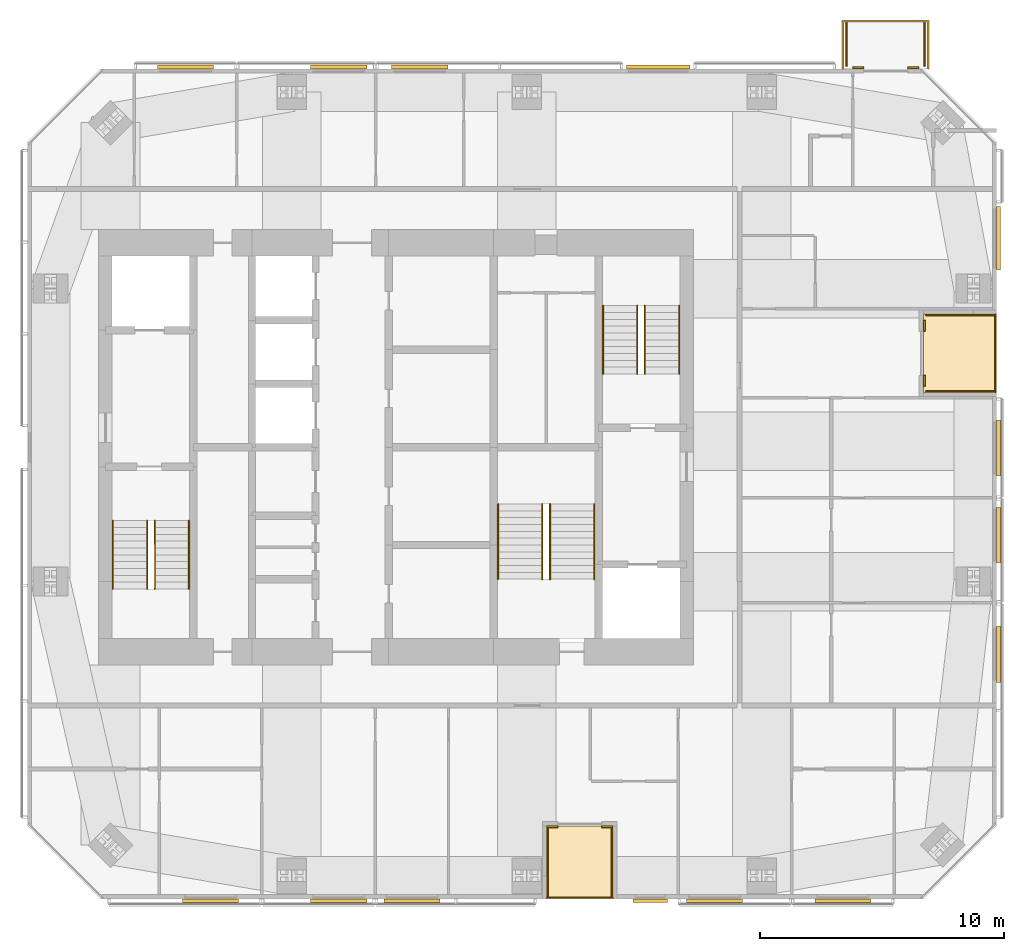
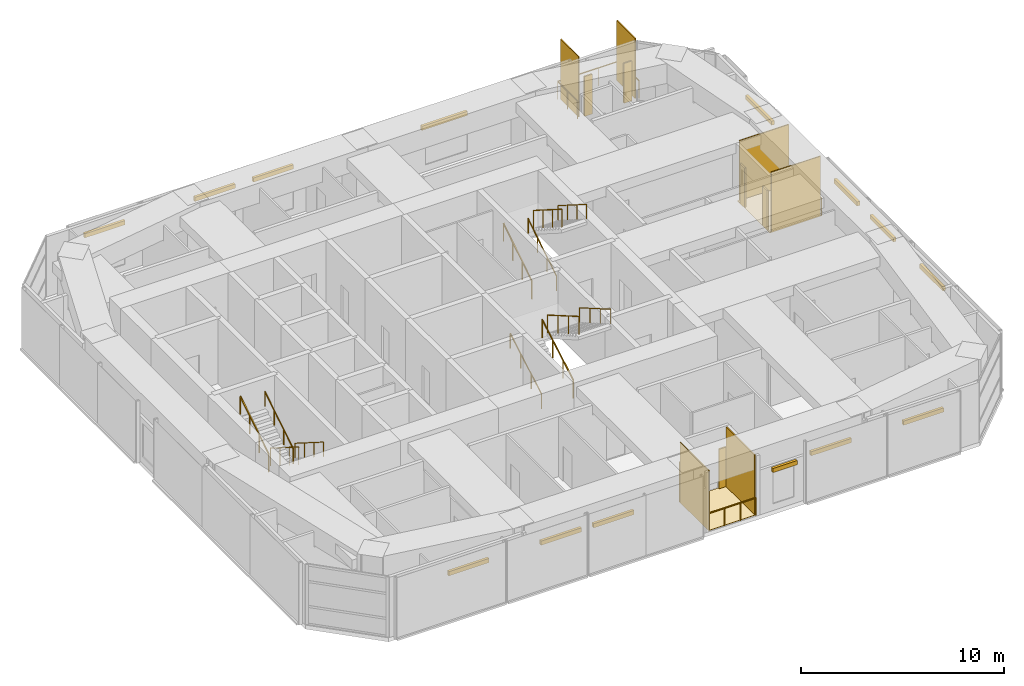
# One storey, part 20 of 20: 26 shading devices, 15 railings, 2 coverings.
"""IFC4 building model written with IfcOpenShell, lengths in metres."""

from ifc_helpers import new_model, si_unit, direction, frame, origin, origin_2d, place, context, subcontext, project, spatial, polyline, rectangle, circle, outline, extrude, material, layer, layer_set, constituent, constituent_set, type_object, element, save


model = new_model("IFC4")

# Units and contexts
model_context = context("Model", 3, precision=1e-05, world=origin(), true_north=direction((0.0, 1.0)))
body_context = subcontext(model_context, "Body", "Model", "MODEL_VIEW")
ifc_project = project(units=[si_unit("LENGTHUNIT", "METRE"), si_unit("AREAUNIT", "SQUARE_METRE"), si_unit("VOLUMEUNIT", "CUBIC_METRE"), si_unit("PLANEANGLEUNIT", "RADIAN"), si_unit("MASSUNIT", "GRAM", prefix="KILO")], contexts=[model_context])

# Site, building, storey
site_placement = place(None, origin())
site = spatial("IfcSite", under=ifc_project, at=site_placement, CompositionType="ELEMENT")
building_placement = place(site_placement, origin())
building = spatial("IfcBuilding", under=site, at=building_placement, Name="Jalousie Tower", CompositionType="ELEMENT")
storey_placement = place(building_placement, frame((0.0, 0.0, 263.85009765625)))
storey = spatial("IfcBuildingStorey", under=building, at=storey_placement, Name="L72", CompositionType="ELEMENT", Elevation=263.85009765625)

# Shading devices
ifc_material_1 = material(Name="Aluminium impact-rated louvred storm shutter", Category="aluminium")
shading_device_type_1 = type_object("IfcShadingDeviceType", Name="BI-FOLD STORM SHUTTER 900x2400", PredefinedType="SHUTTER", material=ifc_material_1)
for number, where, z_axis, x_axis, name in (
    (1, (38.300048828125, 2.9599609375, 0.0), (0.0, 0.0, 1.0), (1.0, 0.0, 0.0), "Loggia storm shutter L72"),
    (2, (40.550048828125, 2.9599609375, 0.0), (0.0, 0.0, 1.0), (1.0, 0.0, 0.0), "Loggia storm shutter L72"),
    (3, (53.5400390625, 21.22509765625, 0.0), (0.0, 0.0, 1.0), (0.0, 1.0, 0.0), "Loggia storm shutter L72"),
    (4, (53.5400390625, 23.47509765625, 0.0), (0.0, 0.0, 1.0), (0.0, 1.0, 0.0), "Loggia storm shutter L72"),
    (5, (53.07373046875, 34.0400390625, 0.0), (0.0, 0.0, 1.0), (-1.0, 0.0, 0.0), "Balcony storm shutter L72"),
    (6, (50.82373046875, 34.0400390625, 0.0), (0.0, 0.0, 1.0), (-1.0, 0.0, 0.0), "Balcony storm shutter L72"),
):
    element("IfcShadingDevice", number, at=place(storey_placement, frame(where, z_axis=z_axis, x_axis=x_axis)), inside=storey, type_object=shading_device_type_1, Name=name, PredefinedType="SHUTTER", context=body_context, shape_type="SweptSolid", body=[
        extrude(rectangle(XDim=0.449951171875, YDim=0.080078125, at=origin_2d()), origin(), (0.0, 0.0, 1.0), 2.39990234375),
    ])

# Railings
ifc_material_2 = material(Name="Powder-coated aluminium fretwork", Category="aluminium")
railing_type_1 = type_object("IfcRailingType", Name="FRETWORK BALUSTRADE 1100", PredefinedType="BALUSTRADE", material=ifc_material_2)
railing_1_placement = place(storey_placement, frame((38.074951171875, 0.050048828125, 0.0)))
element("IfcRailing", 7, at=railing_1_placement, inside=storey, type_object=railing_type_1, Name="Loggia fretwork balustrade L72", PredefinedType="BALUSTRADE", context=body_context, shape_type="SweptSolid", body=[
    extrude(rectangle(XDim=0.048095703125, YDim=0.048095703125, at=origin_2d()), frame((0.0, 0.0, 1.076171875), z_axis=(1.0, 0.0, 0.0), x_axis=(0.0, 1.0, 0.0)), (0.0, 0.0, 1.0), 2.699951171875),
    extrude(circle(Radius=0.02099609375, at=origin_2d()), origin(), (0.0, 0.0, 1.0), 1.052001953125),
    extrude(circle(Radius=0.02099609375, at=origin_2d()), frame((0.89990234375, 0.0, 0.0)), (0.0, 0.0, 1.0), 1.052001953125),
    extrude(circle(Radius=0.02099609375, at=origin_2d()), frame((1.800048828125, 0.0, 0.0)), (0.0, 0.0, 1.0), 1.052001953125),
    extrude(circle(Radius=0.02099609375, at=origin_2d()), frame((2.699951171875, 0.0, 0.0)), (0.0, 0.0, 1.0), 1.052001953125),
])
railing_2_placement = place(storey_placement, frame((56.449951171875, 20.75, 0.0)))
element("IfcRailing", 8, at=railing_2_placement, inside=storey, type_object=railing_type_1, Name="Loggia fretwork balustrade L72", PredefinedType="BALUSTRADE", context=body_context, shape_type="SweptSolid", body=[
    extrude(rectangle(XDim=0.048095703125, YDim=0.048095703125, at=origin_2d()), frame((0.0, 0.0, 1.076171875), z_axis=(0.0, 1.0, 0.0), x_axis=(-1.0, 0.0, 0.0)), (0.0, 0.0, 1.0), 3.199951171875),
    extrude(circle(Radius=0.02099609375, at=origin_2d()), origin(), (0.0, 0.0, 1.0), 1.052001953125),
    extrude(circle(Radius=0.02099609375, at=origin_2d()), frame((0.0, 1.066650390625, 0.0)), (0.0, 0.0, 1.0), 1.052001953125),
    extrude(circle(Radius=0.02099609375, at=origin_2d()), frame((0.0, 2.13330078125, 0.0)), (0.0, 0.0, 1.0), 1.052001953125),
    extrude(circle(Radius=0.02099609375, at=origin_2d()), frame((0.0, 3.199951171875, 0.0)), (0.0, 0.0, 1.0), 1.052001953125),
])
railing_3_placement = place(storey_placement, frame((53.69873046875, 34.0, 0.0)))
element("IfcRailing", 9, at=railing_3_placement, inside=storey, type_object=railing_type_1, Name="Balcony fretwork balustrade L72", PredefinedType="BALUSTRADE", context=body_context, shape_type="SweptSolid", body=[
    extrude(rectangle(XDim=0.048095703125, YDim=0.048095703125, at=origin_2d()), frame((0.0, 0.0, 1.076171875), z_axis=(0.0, 1.0, 0.0), x_axis=(-1.0, 0.0, 0.0)), (0.0, 0.0, 1.0), 1.949951171875),
    extrude(rectangle(XDim=0.048095703125, YDim=0.048095703125, at=origin_2d()), frame((0.0, 1.949951171875, 1.076171875), z_axis=(-1.0, 0.0, 0.0), x_axis=(0.0, -1.0, 0.0)), (0.0, 0.0, 1.0), 3.5),
    extrude(rectangle(XDim=0.048095703125, YDim=0.048095703125, at=origin_2d()), frame((-3.5, 1.949951171875, 1.076171875), z_axis=(0.0, -1.0, 0.0), x_axis=(1.0, 0.0, 0.0)), (0.0, 0.0, 1.0), 1.949951171875),
    extrude(circle(Radius=0.02099609375, at=origin_2d()), origin(), (0.0, 0.0, 1.0), 1.052001953125),
    extrude(circle(Radius=0.02099609375, at=origin_2d()), frame((0.0, 0.97509765625, 0.0)), (0.0, 0.0, 1.0), 1.052001953125),
    extrude(circle(Radius=0.02099609375, at=origin_2d()), frame((0.0, 1.949951171875, 0.0)), (0.0, 0.0, 1.0), 1.052001953125),
    extrude(circle(Radius=0.02099609375, at=origin_2d()), frame((-1.166748046875, 1.949951171875, 0.0)), (0.0, 0.0, 1.0), 1.052001953125),
    extrude(circle(Radius=0.02099609375, at=origin_2d()), frame((-2.333251953125, 1.949951171875, 0.0)), (0.0, 0.0, 1.0), 1.052001953125),
    extrude(circle(Radius=0.02099609375, at=origin_2d()), frame((-3.5, 1.949951171875, 0.0)), (0.0, 0.0, 1.0), 1.052001953125),
    extrude(circle(Radius=0.02099609375, at=origin_2d()), frame((-3.5, 0.97509765625, 0.0)), (0.0, 0.0, 1.0), 1.052001953125),
    extrude(circle(Radius=0.02099609375, at=origin_2d()), frame((-3.5, 0.0, 0.0)), (0.0, 0.0, 1.0), 1.052001953125),
])

# Shading devices
ifc_material_3 = material(Name="Powder-coated aluminium louvres", Category="aluminium")
ifc_layer_1 = layer(ifc_material_3, 0.06005859375)
ifc_layer_set_1 = layer_set([ifc_layer_1], Name="Powder-coated aluminium louvres")
shading_device_type_2 = type_object("IfcShadingDeviceType", Name="JALOUSIE LOUVRE SCREEN", PredefinedType="JALOUSIE", material=ifc_layer_set_1)
for number, where, z_axis, x_axis, name in (
    (10, (38.10498046875, 1.5, -0.000244140625), (0.0, 0.0, 1.0), (1.0, 0.0, 0.0), "Loggia jalousie louvre screen L72"),
    (11, (40.7451171875, 1.5, -0.000244140625), (0.0, 0.0, 1.0), (1.0, 0.0, 0.0), "Loggia jalousie louvre screen L72"),
    (12, (55.0, 20.780029296875, -0.000244140625), (0.0, 0.0, 1.0), (0.0, 1.0, 0.0), "Loggia jalousie louvre screen L72"),
    (13, (55.0, 23.919921875, -0.000244140625), (0.0, 0.0, 1.0), (0.0, 1.0, 0.0), "Loggia jalousie louvre screen L72"),
):
    element("IfcShadingDevice", number, at=place(storey_placement, frame(where, z_axis=z_axis, x_axis=x_axis)), inside=storey, type_object=shading_device_type_2, Name=name, PredefinedType="JALOUSIE", context=body_context, shape_type="SweptSolid", body=[
        extrude(rectangle(XDim=0.06005859375, YDim=2.800048828125, at=origin_2d()), origin(), (0.0, 0.0, 1.0), 3.6201171875),
    ])
for number, where, z_axis, x_axis, name in (
    (14, (53.548583984375, 35.0, -0.000244140625), (0.0, 0.0, 1.0), (-1.0, 0.0, 0.0), "Jalousie louvre screen L72"),
    (15, (50.3486328125, 35.0, -0.000244140625), (0.0, 0.0, 1.0), (-1.0, 0.0, 0.0), "Jalousie louvre screen L72"),
):
    element("IfcShadingDevice", number, at=place(storey_placement, frame(where, z_axis=z_axis, x_axis=x_axis)), inside=storey, type_object=shading_device_type_2, Name=name, PredefinedType="JALOUSIE", context=body_context, shape_type="SweptSolid", body=[
        extrude(rectangle(XDim=0.06005859375, YDim=1.800048828125, at=origin_2d()), origin(), (0.0, 0.0, 1.0), 3.6201171875),
    ])

# Railings
ifc_material_4 = material(Name="Steel ASTM A500 Grade C", Category="steel")
ifc_constituent_1 = constituent(ifc_material_4, Name="Body")
ifc_material_5 = material(Name="Hot-dip galvanised zinc coating")
ifc_constituent_2 = constituent(ifc_material_5, Name="Finish")
ifc_constituent_set_1 = constituent_set(constituents=[ifc_constituent_1, ifc_constituent_2])
railing_type_2 = type_object("IfcRailingType", Name="STAIR GUARD 1100", PredefinedType="GUARDRAIL", material=ifc_constituent_set_1)
railing_4_placement = place(storey_placement, frame((22.017578125, 15.49755859375, 0.17724609375)))
element("IfcRailing", 16, at=railing_4_placement, inside=storey, type_object=railing_type_2, Name="Exit stair A guard L72 flight 1", PredefinedType="GUARDRAIL", context=body_context, shape_type="SweptSolid", body=[
    extrude(rectangle(XDim=0.048095703125, YDim=0.048095703125, at=origin_2d()), frame((0.0, 0.0, 1.076171875), z_axis=(0.0, -0.844908973607, 0.534910110503), x_axis=(1.0, 0.0, 0.0)), (0.0, 0.0, 1.0), 3.31396484375),
    extrude(circle(Radius=0.02099609375, at=origin_2d()), origin(), (0.0, 0.0, 1.0), 1.052001953125),
    extrude(circle(Radius=0.02099609375, at=origin_2d()), frame((0.0, -0.933349609375, 0.5908203125)), (0.0, 0.0, 1.0), 1.052001953125),
    extrude(circle(Radius=0.02099609375, at=origin_2d()), frame((0.0, -1.86669921875, 1.181884765625)), (0.0, 0.0, 1.0), 1.052001953125),
    extrude(circle(Radius=0.02099609375, at=origin_2d()), frame((0.0, -2.800048828125, 1.772705078125)), (0.0, 0.0, 1.0), 1.052001953125),
])
for number, where, name in (
    (17, (20.304931640625, 12.697509765625, 2.127197265625), "Exit stair A guard L72 flight 2"),
    (18, (40.3798828125, 21.50244140625, 0.17724609375), "Exit stair B guard L72 flight 1"),
):
    element("IfcRailing", number, at=place(storey_placement, frame(where)), inside=storey, type_object=railing_type_2, Name=name, PredefinedType="GUARDRAIL", context=body_context, shape_type="SweptSolid", body=[
        extrude(rectangle(XDim=0.048095703125, YDim=0.048095703125, at=origin_2d()), frame((0.0, 0.0, 1.076171875), z_axis=(0.0, 0.844908973607, 0.534910110503), x_axis=(-1.0, 0.0, 0.0)), (0.0, 0.0, 1.0), 3.31396484375),
        extrude(circle(Radius=0.02099609375, at=origin_2d()), origin(), (0.0, 0.0, 1.0), 1.052001953125),
        extrude(circle(Radius=0.02099609375, at=origin_2d()), frame((0.0, 0.933349609375, 0.5908203125)), (0.0, 0.0, 1.0), 1.052001953125),
        extrude(circle(Radius=0.02099609375, at=origin_2d()), frame((0.0, 1.86669921875, 1.181884765625)), (0.0, 0.0, 1.0), 1.052001953125),
        extrude(circle(Radius=0.02099609375, at=origin_2d()), frame((0.0, 2.800048828125, 1.772705078125)), (0.0, 0.0, 1.0), 1.052001953125),
    ])
railing_5_placement = place(storey_placement, frame((42.092529296875, 24.302490234375, 2.127197265625)))
element("IfcRailing", 19, at=railing_5_placement, inside=storey, type_object=railing_type_2, Name="Exit stair B guard L72 flight 2", PredefinedType="GUARDRAIL", context=body_context, shape_type="SweptSolid", body=[
    extrude(rectangle(XDim=0.048095703125, YDim=0.048095703125, at=origin_2d()), frame((0.0, 0.0, 1.076171875), z_axis=(0.0, -0.844908973607, 0.534910110503), x_axis=(1.0, 0.0, 0.0)), (0.0, 0.0, 1.0), 3.31396484375),
    extrude(circle(Radius=0.02099609375, at=origin_2d()), origin(), (0.0, 0.0, 1.0), 1.052001953125),
    extrude(circle(Radius=0.02099609375, at=origin_2d()), frame((0.0, -0.933349609375, 0.5908203125)), (0.0, 0.0, 1.0), 1.052001953125),
    extrude(circle(Radius=0.02099609375, at=origin_2d()), frame((0.0, -1.86669921875, 1.181884765625)), (0.0, 0.0, 1.0), 1.052001953125),
    extrude(circle(Radius=0.02099609375, at=origin_2d()), frame((0.0, -2.800048828125, 1.772705078125)), (0.0, 0.0, 1.0), 1.052001953125),
])
railing_6_placement = place(storey_placement, frame((37.89501953125, 13.097412109375, 0.162353515625)))
element("IfcRailing", 20, at=railing_6_placement, inside=storey, type_object=railing_type_2, Name="Exit stair C guard L72 flight 1", PredefinedType="GUARDRAIL", context=body_context, shape_type="SweptSolid", body=[
    extrude(rectangle(XDim=0.048095703125, YDim=0.048095703125, at=origin_2d()), frame((0.0, 0.0, 1.076171875), z_axis=(0.0, 0.864890721111, 0.501960198159), x_axis=(-1.0, 0.0, 0.0)), (0.0, 0.0, 1.0), 3.561279296875),
    extrude(circle(Radius=0.02099609375, at=origin_2d()), origin(), (0.0, 0.0, 1.0), 1.052001953125),
    extrude(circle(Radius=0.02099609375, at=origin_2d()), frame((0.0, 1.026611328125, 0.595947265625)), (0.0, 0.0, 1.0), 1.052001953125),
    extrude(circle(Radius=0.02099609375, at=origin_2d()), frame((0.0, 2.053466796875, 1.191650390625)), (0.0, 0.0, 1.0), 1.052001953125),
    extrude(circle(Radius=0.02099609375, at=origin_2d()), frame((0.0, 3.080078125, 1.78759765625)), (0.0, 0.0, 1.0), 1.052001953125),
])
railing_7_placement = place(storey_placement, frame((38.205078125, 16.177490234375, 2.1123046875)))
element("IfcRailing", 21, at=railing_7_placement, inside=storey, type_object=railing_type_2, Name="Exit stair C guard L72 flight 2", PredefinedType="GUARDRAIL", context=body_context, shape_type="SweptSolid", body=[
    extrude(rectangle(XDim=0.048095703125, YDim=0.048095703125, at=origin_2d()), frame((0.0, 0.0, 1.076171875), z_axis=(0.0, -0.864890721111, 0.501960198159), x_axis=(1.0, 0.0, 0.0)), (0.0, 0.0, 1.0), 3.561279296875),
    extrude(circle(Radius=0.02099609375, at=origin_2d()), origin(), (0.0, 0.0, 1.0), 1.052001953125),
    extrude(circle(Radius=0.02099609375, at=origin_2d()), frame((0.0, -1.026611328125, 0.595947265625)), (0.0, 0.0, 1.0), 1.052001953125),
    extrude(circle(Radius=0.02099609375, at=origin_2d()), frame((0.0, -2.053466796875, 1.191650390625)), (0.0, 0.0, 1.0), 1.052001953125),
    extrude(circle(Radius=0.02099609375, at=origin_2d()), frame((0.0, -3.080078125, 1.78759765625)), (0.0, 0.0, 1.0), 1.052001953125),
])
ifc_material_6 = material(Name="Steel ASTM A500 Grade C", Category="steel")
ifc_constituent_3 = constituent(ifc_material_6, Name="Body")
ifc_material_7 = material(Name="Hot-dip galvanised zinc coating")
ifc_constituent_4 = constituent(ifc_material_7, Name="Finish")
ifc_constituent_set_2 = constituent_set(constituents=[ifc_constituent_3, ifc_constituent_4])
railing_type_3 = type_object("IfcRailingType", Name="STAIR HANDRAIL 900", PredefinedType="HANDRAIL", material=ifc_constituent_set_2)
railing_8_placement = place(storey_placement, frame((23.420166015625, 15.49755859375, 0.17724609375)))
element("IfcRailing", 22, at=railing_8_placement, inside=storey, type_object=railing_type_3, Name="Exit stair A handrail L72 flight 1", PredefinedType="HANDRAIL", context=body_context, shape_type="SweptSolid", body=[
    extrude(circle(Radius=0.02392578125, at=origin_2d()), frame((0.0, 0.0, 0.8759765625), z_axis=(0.0, -0.844908973607, 0.534910110503), x_axis=(1.0, 0.0, 0.0)), (0.0, 0.0, 1.0), 3.31396484375),
    extrude(circle(Radius=0.02099609375, at=origin_2d()), origin(), (0.0, 0.0, 1.0), 0.851806640625),
    extrude(circle(Radius=0.02099609375, at=origin_2d()), frame((0.0, -0.933349609375, 0.5908203125)), (0.0, 0.0, 1.0), 0.851806640625),
    extrude(circle(Radius=0.02099609375, at=origin_2d()), frame((0.0, -1.86669921875, 1.181884765625)), (0.0, 0.0, 1.0), 0.851806640625),
    extrude(circle(Radius=0.02099609375, at=origin_2d()), frame((0.0, -2.800048828125, 1.772705078125)), (0.0, 0.0, 1.0), 0.851806640625),
])
for number, where, name in (
    (23, (21.70751953125, 12.697509765625, 2.127197265625), "Exit stair A handrail L72 flight 2"),
    (24, (41.782470703125, 21.50244140625, 0.17724609375), "Exit stair B handrail L72 flight 1"),
):
    element("IfcRailing", number, at=place(storey_placement, frame(where)), inside=storey, type_object=railing_type_3, Name=name, PredefinedType="HANDRAIL", context=body_context, shape_type="SweptSolid", body=[
        extrude(circle(Radius=0.02392578125, at=origin_2d()), frame((0.0, 0.0, 0.8759765625), z_axis=(0.0, 0.844908973607, 0.534910110503), x_axis=(-1.0, 0.0, 0.0)), (0.0, 0.0, 1.0), 3.31396484375),
        extrude(circle(Radius=0.02099609375, at=origin_2d()), origin(), (0.0, 0.0, 1.0), 0.851806640625),
        extrude(circle(Radius=0.02099609375, at=origin_2d()), frame((0.0, 0.933349609375, 0.5908203125)), (0.0, 0.0, 1.0), 0.851806640625),
        extrude(circle(Radius=0.02099609375, at=origin_2d()), frame((0.0, 1.86669921875, 1.181884765625)), (0.0, 0.0, 1.0), 0.851806640625),
        extrude(circle(Radius=0.02099609375, at=origin_2d()), frame((0.0, 2.800048828125, 1.772705078125)), (0.0, 0.0, 1.0), 0.851806640625),
    ])
railing_9_placement = place(storey_placement, frame((43.4951171875, 24.302490234375, 2.127197265625)))
element("IfcRailing", 25, at=railing_9_placement, inside=storey, type_object=railing_type_3, Name="Exit stair B handrail L72 flight 2", PredefinedType="HANDRAIL", context=body_context, shape_type="SweptSolid", body=[
    extrude(circle(Radius=0.02392578125, at=origin_2d()), frame((0.0, 0.0, 0.8759765625), z_axis=(0.0, -0.844908973607, 0.534910110503), x_axis=(1.0, 0.0, 0.0)), (0.0, 0.0, 1.0), 3.31396484375),
    extrude(circle(Radius=0.02099609375, at=origin_2d()), origin(), (0.0, 0.0, 1.0), 0.851806640625),
    extrude(circle(Radius=0.02099609375, at=origin_2d()), frame((0.0, -0.933349609375, 0.5908203125)), (0.0, 0.0, 1.0), 0.851806640625),
    extrude(circle(Radius=0.02099609375, at=origin_2d()), frame((0.0, -1.86669921875, 1.181884765625)), (0.0, 0.0, 1.0), 0.851806640625),
    extrude(circle(Radius=0.02099609375, at=origin_2d()), frame((0.0, -2.800048828125, 1.772705078125)), (0.0, 0.0, 1.0), 0.851806640625),
])
railing_10_placement = place(storey_placement, frame((36.080078125, 13.097412109375, 0.162353515625)))
element("IfcRailing", 26, at=railing_10_placement, inside=storey, type_object=railing_type_3, Name="Exit stair C handrail L72 flight 1", PredefinedType="HANDRAIL", context=body_context, shape_type="SweptSolid", body=[
    extrude(circle(Radius=0.02392578125, at=origin_2d()), frame((0.0, 0.0, 0.8759765625), z_axis=(0.0, 0.864890721111, 0.501960198159), x_axis=(-1.0, 0.0, 0.0)), (0.0, 0.0, 1.0), 3.561279296875),
    extrude(circle(Radius=0.02099609375, at=origin_2d()), origin(), (0.0, 0.0, 1.0), 0.851806640625),
    extrude(circle(Radius=0.02099609375, at=origin_2d()), frame((0.0, 1.026611328125, 0.595947265625)), (0.0, 0.0, 1.0), 0.851806640625),
    extrude(circle(Radius=0.02099609375, at=origin_2d()), frame((0.0, 2.053466796875, 1.191650390625)), (0.0, 0.0, 1.0), 0.851806640625),
    extrude(circle(Radius=0.02099609375, at=origin_2d()), frame((0.0, 3.080078125, 1.78759765625)), (0.0, 0.0, 1.0), 0.851806640625),
])
railing_11_placement = place(storey_placement, frame((40.02001953125, 16.177490234375, 2.1123046875)))
element("IfcRailing", 27, at=railing_11_placement, inside=storey, type_object=railing_type_3, Name="Exit stair C handrail L72 flight 2", PredefinedType="HANDRAIL", context=body_context, shape_type="SweptSolid", body=[
    extrude(circle(Radius=0.02392578125, at=origin_2d()), frame((0.0, 0.0, 0.8759765625), z_axis=(0.0, -0.864890721111, 0.501960198159), x_axis=(1.0, 0.0, 0.0)), (0.0, 0.0, 1.0), 3.561279296875),
    extrude(circle(Radius=0.02099609375, at=origin_2d()), origin(), (0.0, 0.0, 1.0), 0.851806640625),
    extrude(circle(Radius=0.02099609375, at=origin_2d()), frame((0.0, -1.026611328125, 0.595947265625)), (0.0, 0.0, 1.0), 0.851806640625),
    extrude(circle(Radius=0.02099609375, at=origin_2d()), frame((0.0, -2.053466796875, 1.191650390625)), (0.0, 0.0, 1.0), 0.851806640625),
    extrude(circle(Radius=0.02099609375, at=origin_2d()), frame((0.0, -3.080078125, 1.78759765625)), (0.0, 0.0, 1.0), 0.851806640625),
])

# Shading devices
ifc_material_8 = material(Name="Aluminium roller storm shutter", Category="aluminium")
shading_device_type_3 = type_object("IfcShadingDeviceType", Name="STORM SHUTTER HOUSING", PredefinedType="SHUTTER", material=ifc_material_8)
for number, where, z_axis, x_axis, name in (
    (28, (24.300048828125, -0.074951171875, 2.64990234375), (0.0, 0.0, 1.0), (1.0, 0.0, 0.0), "Storm shutter L72"),
    (29, (29.55615234375, -0.074951171875, 2.64990234375), (0.0, 0.0, 1.0), (1.0, 0.0, 0.0), "Storm shutter L72"),
    (30, (32.550048828125, -0.074951171875, 2.64990234375), (0.0, 0.0, 1.0), (1.0, 0.0, 0.0), "Storm shutter L72"),
):
    element("IfcShadingDevice", number, at=place(storey_placement, frame(where, z_axis=z_axis, x_axis=x_axis)), inside=storey, type_object=shading_device_type_3, Name=name, PredefinedType="SHUTTER", context=body_context, shape_type="SweptSolid", body=[
        extrude(rectangle(XDim=2.300048828125, YDim=0.14990234375, at=origin_2d()), origin(), (0.0, 0.0, 1.0), 0.25),
    ])
shading_device_placement = place(storey_placement, frame((42.31103515625, -0.074951171875, 2.39990234375), z_axis=(0.0, 0.0, 1.0), x_axis=(1.0, 0.0, 0.0)))
element("IfcShadingDevice", 31, at=shading_device_placement, inside=storey, type_object=shading_device_type_3, Name="Storm shutter L72", PredefinedType="SHUTTER", context=body_context, shape_type="SweptSolid", body=[
    extrude(rectangle(XDim=1.39990234375, YDim=0.14990234375, at=origin_2d()), origin(), (0.0, 0.0, 1.0), 0.25),
])
for number, where, z_axis, x_axis, name in (
    (32, (44.94384765625, -0.074951171875, 2.64990234375), (0.0, 0.0, 1.0), (1.0, 0.0, 0.0), "Storm shutter L72"),
    (33, (50.199951171875, -0.074951171875, 2.64990234375), (0.0, 0.0, 1.0), (1.0, 0.0, 0.0), "Storm shutter L72"),
    (34, (56.574951171875, 10.02490234375, 2.64990234375), (0.0, 0.0, 1.0), (0.0, 1.0, 0.0), "Storm shutter L72"),
    (35, (56.574951171875, 14.905029296875, 2.64990234375), (0.0, 0.0, 1.0), (0.0, 1.0, 0.0), "Storm shutter L72"),
    (36, (56.574951171875, 18.47509765625, 2.64990234375), (0.0, 0.0, 1.0), (0.0, 1.0, 0.0), "Storm shutter L72"),
):
    element("IfcShadingDevice", number, at=place(storey_placement, frame(where, z_axis=z_axis, x_axis=x_axis)), inside=storey, type_object=shading_device_type_3, Name=name, PredefinedType="SHUTTER", context=body_context, shape_type="SweptSolid", body=[
        extrude(rectangle(XDim=2.300048828125, YDim=0.14990234375, at=origin_2d()), origin(), (0.0, 0.0, 1.0), 0.25),
    ])
for number, where, z_axis, x_axis, name in (
    (37, (56.574951171875, 27.0537109375, 2.39990234375), (0.0, 0.0, 1.0), (0.0, 1.0, 0.0), "Storm shutter L72"),
    (38, (42.638916015625, 34.074951171875, 2.39990234375), (0.0, 0.0, 1.0), (-1.0, 0.0, 0.0), "Storm shutter L72"),
):
    element("IfcShadingDevice", number, at=place(storey_placement, frame(where, z_axis=z_axis, x_axis=x_axis)), inside=storey, type_object=shading_device_type_3, Name=name, PredefinedType="SHUTTER", context=body_context, shape_type="SweptSolid", body=[
        extrude(rectangle(XDim=2.60009765625, YDim=0.14990234375, at=origin_2d()), origin(), (0.0, 0.0, 1.0), 0.25),
    ])
for number, where, z_axis, x_axis, name in (
    (39, (32.875, 34.074951171875, 2.64990234375), (0.0, 0.0, 1.0), (-1.0, 0.0, 0.0), "Storm shutter L72"),
    (40, (29.554931640625, 34.074951171875, 2.64990234375), (0.0, 0.0, 1.0), (-1.0, 0.0, 0.0), "Storm shutter L72"),
    (41, (23.275634765625, 34.074951171875, 2.64990234375), (0.0, 0.0, 1.0), (-1.0, 0.0, 0.0), "Storm shutter L72"),
):
    element("IfcShadingDevice", number, at=place(storey_placement, frame(where, z_axis=z_axis, x_axis=x_axis)), inside=storey, type_object=shading_device_type_3, Name=name, PredefinedType="SHUTTER", context=body_context, shape_type="SweptSolid", body=[
        extrude(rectangle(XDim=2.300048828125, YDim=0.14990234375, at=origin_2d()), origin(), (0.0, 0.0, 1.0), 0.25),
    ])

# Coverings
ifc_material_9 = material(Name="Porcelain paving on adjustable pedestals", Category="masonry")
ifc_layer_2 = layer(ifc_material_9, 0.02001953125)
ifc_layer_set_2 = layer_set([ifc_layer_2], Name="Porcelain paving on adjustable pedestals")
covering_type = type_object("IfcCoveringType", Name="TERRACE PAVING 20", PredefinedType="FLOORING", material=ifc_layer_set_2)
covering_1_placement = place(storey_placement, origin())
element("IfcCovering", 42, at=covering_1_placement, inside=storey, type_object=covering_type, Name="Apartment 7201 terrace paving", PredefinedType="FLOORING", context=body_context, shape_type="SweptSolid", body=[
    extrude(outline(polyline([(38.074951171875, 0.080078125), (40.77490234375, 0.080078125), (40.77490234375, 3.0), (38.074951171875, 3.0), (38.074951171875, 0.080078125)])), origin(), (0.0, 0.0, 1.0), 0.02001953125),
])
covering_2_placement = place(storey_placement, origin())
element("IfcCovering", 43, at=covering_2_placement, inside=storey, type_object=covering_type, Name="Apartment 7203 terrace paving", PredefinedType="FLOORING", context=body_context, shape_type="SweptSolid", body=[
    extrude(outline(polyline([(56.419921875, 20.75), (56.419921875, 23.949951171875), (53.5, 23.949951171875), (53.5, 20.75), (56.419921875, 20.75)])), origin(), (0.0, 0.0, 1.0), 0.02001953125),
])

save(model, "model.ifc")
